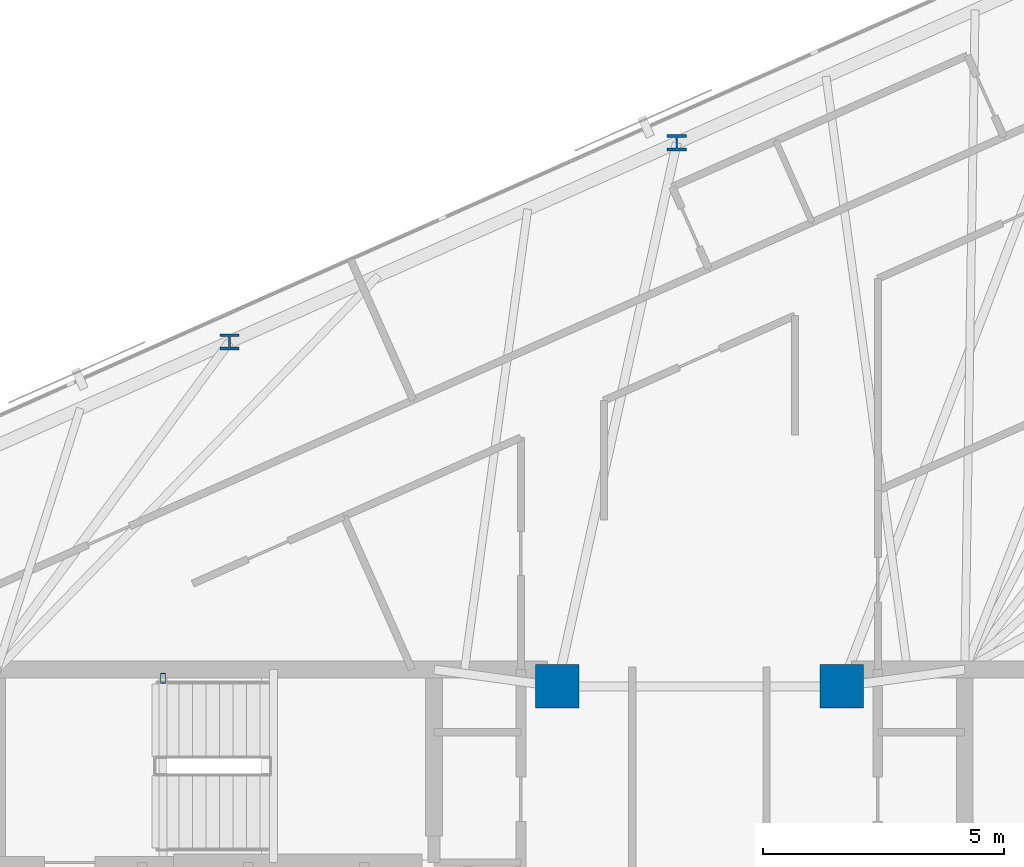
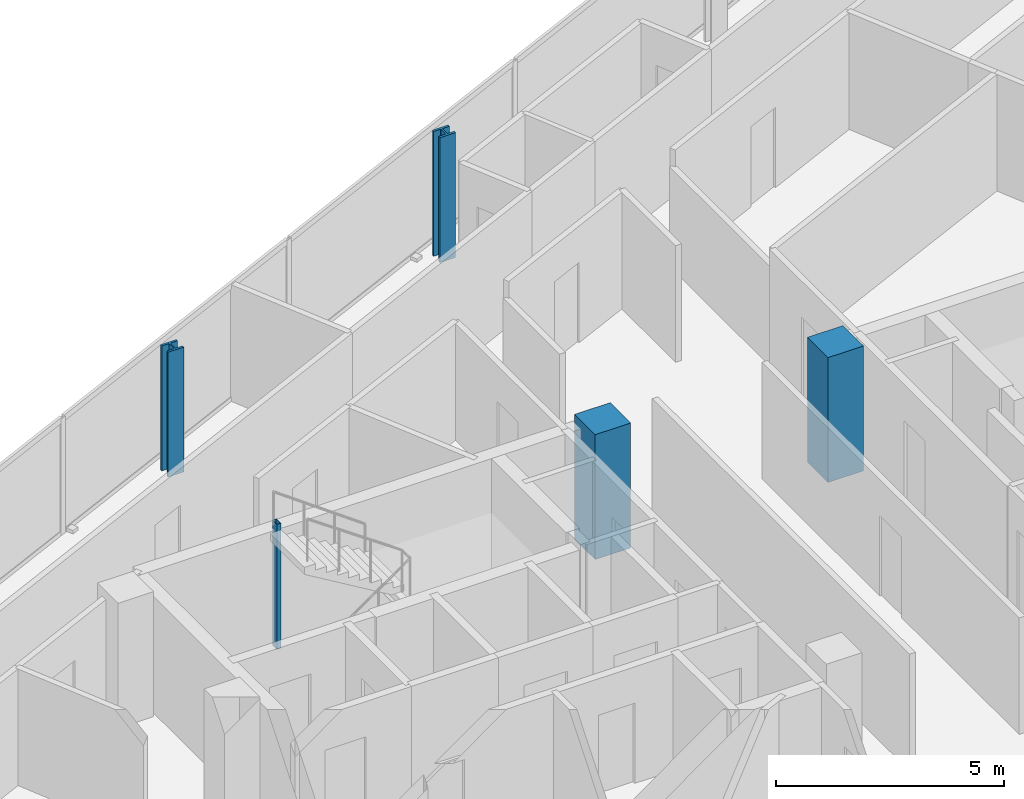
# One storey, part 2 of 19: 5 columns.
"""IFC4 building model written with IfcOpenShell, lengths in metres."""

from ifc_helpers import new_model, si_unit, direction, frame, origin, origin_2d, place, context, subcontext, project, spatial, rectangle, hollow_rectangle, i_section, extrude, material, material_profile, profile_set, type_object, element, save


model = new_model("IFC4")

# Units and contexts
model_context = context("Model", 3, precision=1e-05, world=origin(), true_north=direction((0.0, 1.0)))
body_context = subcontext(model_context, "Body", "Model", "MODEL_VIEW")
ifc_project = project(units=[si_unit("LENGTHUNIT", "METRE"), si_unit("AREAUNIT", "SQUARE_METRE"), si_unit("VOLUMEUNIT", "CUBIC_METRE"), si_unit("PLANEANGLEUNIT", "RADIAN"), si_unit("MASSUNIT", "GRAM", prefix="KILO")], contexts=[model_context])

# Site, building, storey
site_placement = place(None, origin())
site = spatial("IfcSite", under=ifc_project, at=site_placement, CompositionType="ELEMENT")
building_placement = place(site_placement, origin())
building = spatial("IfcBuilding", under=site, at=building_placement, Name="Menara Jurai Vektor", CompositionType="ELEMENT")
storey_placement = place(building_placement, frame((0.0, 0.0, 295.300048828125)))
storey = spatial("IfcBuildingStorey", under=building, at=storey_placement, Name="L79", CompositionType="ELEMENT", Elevation=295.300048828125)

# Columns
ifc_material_1 = material(Name="Concrete C50/60", Category="concrete")
ifc_material_profile_1 = material_profile(ifc_material_1, rectangle(XDim=0.89990234375, YDim=0.89990234375, at=origin_2d()), Name="RC 900x900")
ifc_profile_set_1 = profile_set([ifc_material_profile_1], Name="Concrete C50/60")
column_type_1 = type_object("IfcColumnType", Name="STR-COL-RC900", PredefinedType="COLUMN", material=ifc_profile_set_1)
for number, where, z_axis, x_axis, name in (
    (1, (-2.949951171875, 5.25, 0.0), (0.0, 0.0, 1.0), (1.0, 0.0, 0.0), "Core Spine Column CW-NE L79"),
    (2, (2.949951171875, 5.25, 0.0), (0.0, 0.0, 1.0), (1.0, 0.0, 0.0), "Core Spine Column CE-NW L79"),
):
    element("IfcColumn", number, at=place(storey_placement, frame(where, z_axis=z_axis, x_axis=x_axis)), inside=storey, type_object=column_type_1, Name=name, PredefinedType="COLUMN", context=body_context, shape_type="SweptSolid", body=[
        extrude(rectangle(XDim=0.89990234375, YDim=0.89990234375, at=origin_2d()), origin(), (0.0, 0.0, 1.0), 3.349853515625),
    ])
ifc_material_2 = material(Name="Steel S355", Category="steel")
ifc_material_profile_2 = material_profile(ifc_material_2, hollow_rectangle(XDim=0.10009765625, YDim=0.199951171875, WallThickness=0.008056640625, at=origin_2d()), Name="RHS 200x100x8")
ifc_profile_set_2 = profile_set([ifc_material_profile_2], Name="Steel S355")
column_type_2 = type_object("IfcColumnType", Name="STR-COL-STAIR", PredefinedType="COLUMN", material=ifc_profile_set_2)
column_placement = place(storey_placement, frame((-11.1201171875, 5.419921875, 0.0), z_axis=(0.0, 0.0, 1.0), x_axis=(1.0, 0.0, 0.0)))
element("IfcColumn", 3, at=column_placement, inside=storey, type_object=column_type_2, Name="Stair Well Header Column ST1-P2 L79", PredefinedType="COLUMN", context=body_context, shape_type="SweptSolid", body=[
    extrude(hollow_rectangle(XDim=0.10009765625, YDim=0.199951171875, WallThickness=0.008056640625, at=origin_2d()), origin(), (0.0, 0.0, 1.0), 3.349853515625),
])
ifc_material_3 = material(Name="Steel S460", Category="steel")
ifc_material_profile_3 = material_profile(ifc_material_3, i_section(OverallWidth=0.40087890625, OverallDepth=0.3349609375, WebThickness=0.035888671875, FlangeThickness=0.05810546875, FilletRadius=0.014892578125, at=origin_2d()), Name="HD 400x463")
ifc_profile_set_3 = profile_set([ifc_material_profile_3], Name="Steel S460")
column_type_3 = type_object("IfcColumnType", Name="STR-EXO-BLK5", PredefinedType="COLUMN", material=ifc_profile_set_3)
for number, where, z_axis, x_axis, name in (
    (4, (-0.467529296875, 16.519287109375, 0.0), (0.0, 0.0, 1.0), (1.0, 0.0, 0.0), "Exoskeleton Column BLK5-N3 L79"),
    (5, (-9.740966796875, 12.390380859375, 0.0), (0.0, 0.0, 1.0), (1.0, 0.0, 0.0), "Exoskeleton Column BLK5-N4 L79"),
):
    element("IfcColumn", number, at=place(storey_placement, frame(where, z_axis=z_axis, x_axis=x_axis)), inside=storey, type_object=column_type_3, Name=name, PredefinedType="COLUMN", context=body_context, shape_type="SweptSolid", body=[
        extrude(i_section(OverallWidth=0.40087890625, OverallDepth=0.3349609375, WebThickness=0.035888671875, FlangeThickness=0.05810546875, FilletRadius=0.014892578125, at=origin_2d()), origin(), (0.0, 0.0, 1.0), 3.349853515625),
    ])

save(model, "model.ifc")
